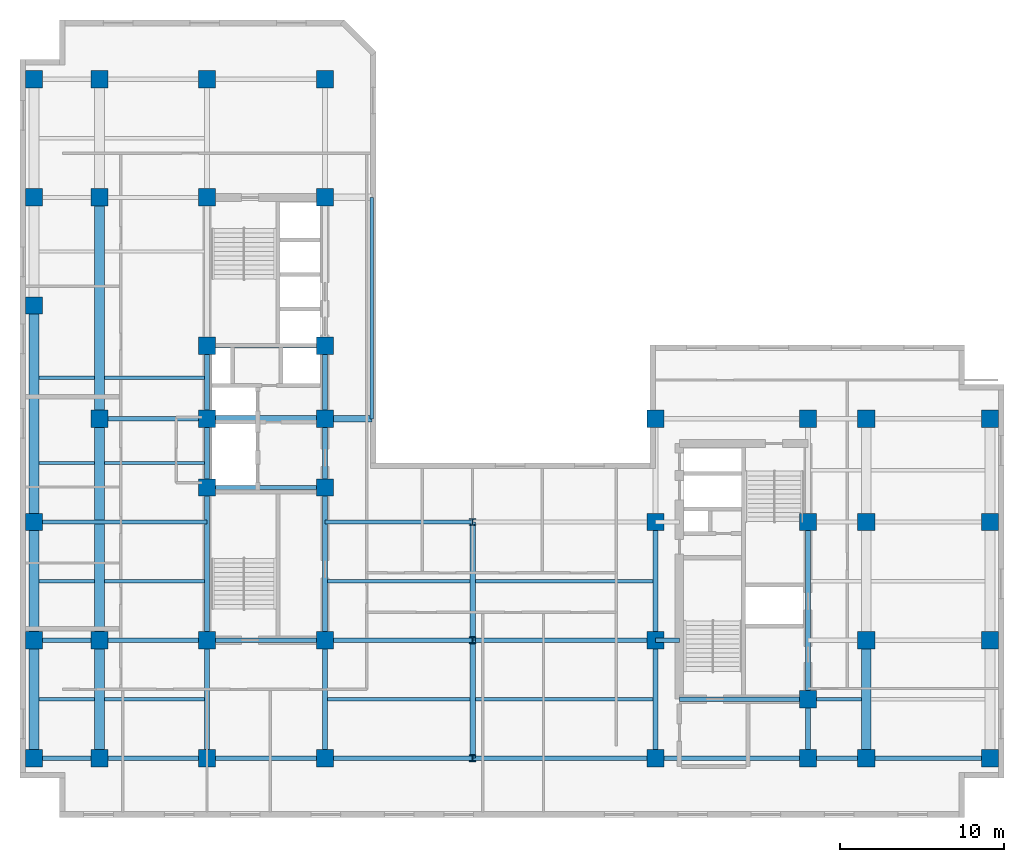
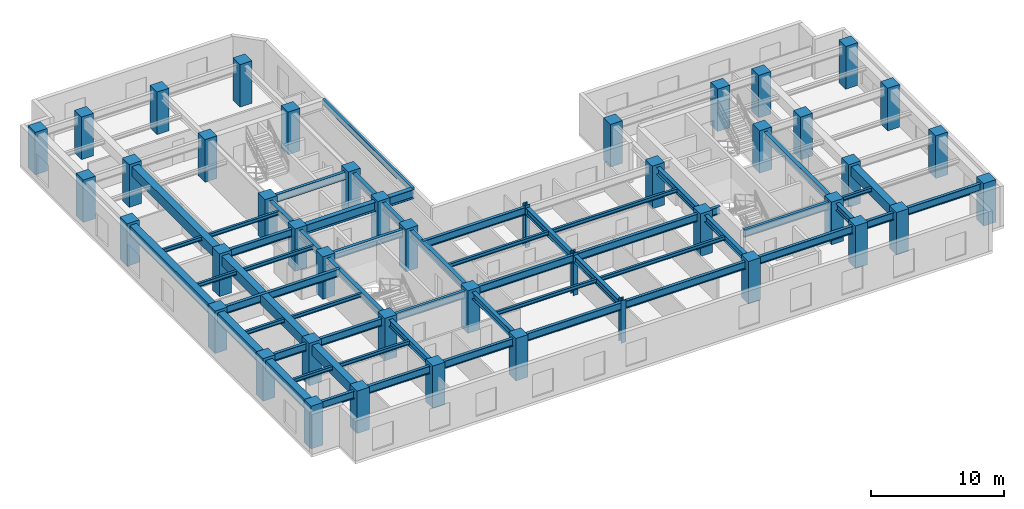
# One storey, part 1 of 9: 56 beams, 44 columns.
"""IFC4 building model written with IfcOpenShell, lengths in metres."""

from ifc_helpers import new_model, entity, si_unit, converted_unit, direction, frame, origin_with_axes, origin_2d_with_axis, place, context, subcontext, project, spatial, rectangle, i_section, extrude, material, material_profile, profile_set, type_object, element, save


model = new_model("IFC4")

# Units and contexts
model_context = context("Model", 3, precision=1e-05, world=origin_with_axes(), true_north=direction((0.0, 1.0)))
body_context = subcontext(model_context, "Body", "Model", "MODEL_VIEW")
ifc_project = project(units=[si_unit("LENGTHUNIT", "METRE"), si_unit("AREAUNIT", "SQUARE_METRE"), si_unit("VOLUMEUNIT", "CUBIC_METRE"), converted_unit("PLANEANGLEUNIT", "DEGREE", entity("IfcPlaneAngleMeasure", 0.017453292519943295), si_unit("PLANEANGLEUNIT", "RADIAN"), dimensions=[0, 0, 0, 0, 0, 0, 0]), si_unit("MASSUNIT", "GRAM", prefix="KILO"), si_unit("THERMODYNAMICTEMPERATUREUNIT", "KELVIN")], contexts=[model_context])

# Site, building, storey
site_placement = place(None, origin_with_axes())
site = spatial("IfcSite", under=ifc_project, at=site_placement, CompositionType="ELEMENT")
building_placement = place(site_placement, origin_with_axes())
building = spatial("IfcBuilding", under=site, at=building_placement, Name="Varnlund Millrace Tower", CompositionType="ELEMENT")
storey_placement = place(building_placement, frame((0.0, 0.0, 132.9), z_axis=(0.0, 0.0, 1.0), x_axis=(1.0, 0.0, 0.0)))
storey = spatial("IfcBuildingStorey", under=building, at=storey_placement, Name="L32", CompositionType="ELEMENT", Elevation=132.9)

# Columns
ifc_material_1 = material(Name="Steel ASTM A913 Grade 65", Category="steel")
ifc_material_profile_1 = material_profile(ifc_material_1, i_section(OverallWidth=0.406, OverallDepth=0.416, WebThickness=0.0298, FlangeThickness=0.048, FilletRadius=0.022, at=origin_2d_with_axis()), Name="Steel ASTM A913 Grade 65")
ifc_profile_set_1 = profile_set([ifc_material_profile_1], Name="Steel ASTM A913 Grade 65")
column_type_1 = type_object("IfcColumnType", Name="Type-Col-Int-W14X257", PredefinedType="COLUMN", material=ifc_profile_set_1)
for number, where, z_axis, x_axis, name in (
    (1, (27.6, 3.6, 0.0), (0.0, 0.0, 1.0), (1.0, 0.0, 0.0), "Type-Col-Int-W14X257"),
    (2, (27.6, 10.8, 0.0), (0.0, 0.0, 1.0), (1.0, 0.0, 0.0), "Type-Col-Int-W14X257"),
    (3, (27.6, 18.0, 0.0), (0.0, 0.0, 1.0), (1.0, 0.0, 0.0), "Type-Col-Int-W14X257"),
):
    element("IfcColumn", number, at=place(storey_placement, frame(where, z_axis=z_axis, x_axis=x_axis)), inside=storey, type_object=column_type_1, Name=name, PredefinedType="COLUMN", context=body_context, shape_type="SweptSolid", body=[
        extrude(i_section(OverallWidth=0.406, OverallDepth=0.416, WebThickness=0.0298, FlangeThickness=0.048, FilletRadius=0.022, at=origin_2d_with_axis()), origin_with_axes(), (0.0, 0.0, 1.0), 3.9),
    ])
ifc_material_2 = material(Name="Concrete C70/85", Category="concrete")
ifc_material_profile_2 = material_profile(ifc_material_2, rectangle(XDim=1.05, YDim=1.05, at=origin_2d_with_axis()), Name="Concrete C70/85")
ifc_profile_set_2 = profile_set([ifc_material_profile_2], Name="Concrete C70/85")
column_type_2 = type_object("IfcColumnType", Name="Type-Col-RC1050-C70", PredefinedType="COLUMN", material=ifc_profile_set_2)
for number, where, z_axis, x_axis, name in (
    (4, (11.4, 3.6, 0.0), (0.0, 0.0, 1.0), (1.0, 0.0, 0.0), "Type-Col-RC1050-C70"),
    (5, (11.4, 10.8, 0.0), (0.0, 0.0, 1.0), (1.0, 0.0, 0.0), "Type-Col-RC1050-C70"),
    (6, (11.4, 20.1, 0.0), (0.0, 0.0, 1.0), (1.0, 0.0, 0.0), "Type-Col-RC1050-C70"),
    (7, (11.4, 24.3, 0.0), (0.0, 0.0, 1.0), (1.0, 0.0, 0.0), "Type-Col-RC1050-C70"),
    (8, (11.4, 28.75, 0.0), (0.0, 0.0, 1.0), (1.0, 0.0, 0.0), "Type-Col-RC1050-C70"),
    (9, (11.4, 37.8, 0.0), (0.0, 0.0, 1.0), (1.0, 0.0, 0.0), "Type-Col-RC1050-C70"),
    (10, (11.4, 45.0, 0.0), (0.0, 0.0, 1.0), (1.0, 0.0, 0.0), "Type-Col-RC1050-C70"),
    (11, (18.6, 3.6, 0.0), (0.0, 0.0, 1.0), (1.0, 0.0, 0.0), "Type-Col-RC1050-C70"),
    (12, (18.6, 10.8, 0.0), (0.0, 0.0, 1.0), (1.0, 0.0, 0.0), "Type-Col-RC1050-C70"),
    (13, (18.6, 20.1, 0.0), (0.0, 0.0, 1.0), (1.0, 0.0, 0.0), "Type-Col-RC1050-C70"),
    (14, (18.6, 24.3, 0.0), (0.0, 0.0, 1.0), (1.0, 0.0, 0.0), "Type-Col-RC1050-C70"),
    (15, (18.6, 28.75, 0.0), (0.0, 0.0, 1.0), (1.0, 0.0, 0.0), "Type-Col-RC1050-C70"),
    (16, (18.6, 37.8, 0.0), (0.0, 0.0, 1.0), (1.0, 0.0, 0.0), "Type-Col-RC1050-C70"),
    (17, (18.6, 45.0, 0.0), (0.0, 0.0, 1.0), (1.0, 0.0, 0.0), "Type-Col-RC1050-C70"),
    (18, (4.85, 3.6, 0.0), (0.0, 0.0, 1.0), (1.0, 0.0, 0.0), "Type-Col-RC1050-C70"),
    (19, (4.85, 10.8, 0.0), (0.0, 0.0, 1.0), (1.0, 0.0, 0.0), "Type-Col-RC1050-C70"),
    (20, (4.85, 24.3, 0.0), (0.0, 0.0, 1.0), (1.0, 0.0, 0.0), "Type-Col-RC1050-C70"),
    (21, (4.85, 37.8, 0.0), (0.0, 0.0, 1.0), (1.0, 0.0, 0.0), "Type-Col-RC1050-C70"),
    (22, (4.85, 45.0, 0.0), (0.0, 0.0, 1.0), (1.0, 0.0, 0.0), "Type-Col-RC1050-C70"),
    (23, (0.85, 3.6, 0.0), (0.0, 0.0, 1.0), (1.0, 0.0, 0.0), "Type-Col-RC1050-C70"),
    (24, (0.85, 10.8, 0.0), (0.0, 0.0, 1.0), (1.0, 0.0, 0.0), "Type-Col-RC1050-C70"),
    (25, (0.85, 18.0, 0.0), (0.0, 0.0, 1.0), (1.0, 0.0, 0.0), "Type-Col-RC1050-C70"),
    (26, (0.85, 31.2, 0.0), (0.0, 0.0, 1.0), (1.0, 0.0, 0.0), "Type-Col-RC1050-C70"),
    (27, (0.85, 37.8, 0.0), (0.0, 0.0, 1.0), (1.0, 0.0, 0.0), "Type-Col-RC1050-C70"),
    (28, (0.85, 45.0, 0.0), (0.0, 0.0, 1.0), (1.0, 0.0, 0.0), "Type-Col-RC1050-C70"),
    (29, (38.75, 3.6, 0.0), (0.0, 0.0, 1.0), (1.0, 0.0, 0.0), "Type-Col-RC1050-C70"),
    (30, (38.75, 10.8, 0.0), (0.0, 0.0, 1.0), (1.0, 0.0, 0.0), "Type-Col-RC1050-C70"),
    (31, (38.75, 18.0, 0.0), (0.0, 0.0, 1.0), (1.0, 0.0, 0.0), "Type-Col-RC1050-C70"),
    (32, (38.75, 24.3, 0.0), (0.0, 0.0, 1.0), (1.0, 0.0, 0.0), "Type-Col-RC1050-C70"),
    (33, (48.05, 3.6, 0.0), (0.0, 0.0, 1.0), (1.0, 0.0, 0.0), "Type-Col-RC1050-C70"),
    (34, (48.05, 7.2, 0.0), (0.0, 0.0, 1.0), (1.0, 0.0, 0.0), "Type-Col-RC1050-C70"),
    (35, (48.05, 18.0, 0.0), (0.0, 0.0, 1.0), (1.0, 0.0, 0.0), "Type-Col-RC1050-C70"),
    (36, (48.05, 24.3, 0.0), (0.0, 0.0, 1.0), (1.0, 0.0, 0.0), "Type-Col-RC1050-C70"),
    (37, (51.6, 3.6, 0.0), (0.0, 0.0, 1.0), (1.0, 0.0, 0.0), "Type-Col-RC1050-C70"),
    (38, (51.6, 10.8, 0.0), (0.0, 0.0, 1.0), (1.0, 0.0, 0.0), "Type-Col-RC1050-C70"),
    (39, (51.6, 18.0, 0.0), (0.0, 0.0, 1.0), (1.0, 0.0, 0.0), "Type-Col-RC1050-C70"),
    (40, (51.6, 24.3, 0.0), (0.0, 0.0, 1.0), (1.0, 0.0, 0.0), "Type-Col-RC1050-C70"),
    (41, (59.15, 3.6, 0.0), (0.0, 0.0, 1.0), (1.0, 0.0, 0.0), "Type-Col-RC1050-C70"),
    (42, (59.15, 10.8, 0.0), (0.0, 0.0, 1.0), (1.0, 0.0, 0.0), "Type-Col-RC1050-C70"),
    (43, (59.15, 18.0, 0.0), (0.0, 0.0, 1.0), (1.0, 0.0, 0.0), "Type-Col-RC1050-C70"),
    (44, (59.15, 24.3, 0.0), (0.0, 0.0, 1.0), (1.0, 0.0, 0.0), "Type-Col-RC1050-C70"),
):
    element("IfcColumn", number, at=place(storey_placement, frame(where, z_axis=z_axis, x_axis=x_axis)), inside=storey, type_object=column_type_2, Name=name, PredefinedType="COLUMN", context=body_context, shape_type="SweptSolid", body=[
        extrude(rectangle(XDim=1.05, YDim=1.05, at=origin_2d_with_axis()), origin_with_axes(), (0.0, 0.0, 1.0), 3.9),
    ])

# Beams
ifc_material_3 = material(Name="Steel ASTM A992 Grade 50", Category="steel")
ifc_material_profile_3 = material_profile(ifc_material_3, i_section(OverallWidth=0.209, OverallDepth=0.533, WebThickness=0.0102, FlangeThickness=0.0156, FilletRadius=0.014, at=origin_2d_with_axis()), Name="Steel ASTM A992 Grade 50")
ifc_profile_set_3 = profile_set([ifc_material_profile_3], Name="Steel ASTM A992 Grade 50")
beam_type_1 = type_object("IfcBeamType", Name="Type-Beam-W21X62", PredefinedType="BEAM", material=ifc_profile_set_3)
beam_1_placement = place(storey_placement, frame((21.454, 24.3, 3.3935), z_axis=(0.0, 1.0, 0.0), x_axis=(-1.0, 0.0, 0.0)))
element("IfcBeam", 45, at=beam_1_placement, inside=storey, type_object=beam_type_1, Name="Type-Beam-W21X62", PredefinedType="BEAM", context=body_context, shape_type="SweptSolid", body=[
    extrude(i_section(OverallWidth=0.209, OverallDepth=0.533, WebThickness=0.0102, FlangeThickness=0.0156, FilletRadius=0.014, at=origin_2d_with_axis()), origin_with_axes(), (0.0, 0.0, 1.0), 13.5),
])
ifc_material_profile_4 = material_profile(ifc_material_3, i_section(OverallWidth=0.328, OverallDepth=0.628, WebThickness=0.0165, FlangeThickness=0.0277, FilletRadius=0.018, at=origin_2d_with_axis()), Name="Steel ASTM A992 Grade 50")
ifc_profile_set_4 = profile_set([ifc_material_profile_4], Name="Steel ASTM A992 Grade 50")
beam_type_2 = type_object("IfcBeamType", Name="Type-Girder-W24X146", PredefinedType="USERDEFINED", material=ifc_profile_set_4)
beam_2_placement = place(storey_placement, frame((11.4, 3.6, 3.346), z_axis=(0.0, 1.0, 0.0), x_axis=(-1.0, 0.0, 0.0)))
element("IfcBeam", 46, at=beam_2_placement, inside=storey, type_object=beam_type_2, Name="Type-Girder-W24X146", ObjectType="GIRDER", PredefinedType="USERDEFINED", context=body_context, shape_type="SweptSolid", body=[
    extrude(i_section(OverallWidth=0.328, OverallDepth=0.628, WebThickness=0.0165, FlangeThickness=0.0277, FilletRadius=0.018, at=origin_2d_with_axis()), origin_with_axes(), (0.0, 0.0, 1.0), 7.2),
])
beam_3_placement = place(storey_placement, frame((11.4, 10.8, 3.346), z_axis=(0.0, 1.0, 0.0), x_axis=(-1.0, 0.0, 0.0)))
element("IfcBeam", 47, at=beam_3_placement, inside=storey, type_object=beam_type_2, Name="Type-Girder-W24X146", ObjectType="GIRDER", PredefinedType="USERDEFINED", context=body_context, shape_type="SweptSolid", body=[
    extrude(i_section(OverallWidth=0.328, OverallDepth=0.628, WebThickness=0.0165, FlangeThickness=0.0277, FilletRadius=0.018, at=origin_2d_with_axis()), origin_with_axes(), (0.0, 0.0, 1.0), 9.3),
])
beam_4_placement = place(storey_placement, frame((11.4, 20.1, 3.346), z_axis=(0.0, 1.0, 0.0), x_axis=(-1.0, 0.0, 0.0)))
element("IfcBeam", 48, at=beam_4_placement, inside=storey, type_object=beam_type_2, Name="Type-Girder-W24X146", ObjectType="GIRDER", PredefinedType="USERDEFINED", context=body_context, shape_type="SweptSolid", body=[
    extrude(i_section(OverallWidth=0.328, OverallDepth=0.628, WebThickness=0.0165, FlangeThickness=0.0277, FilletRadius=0.018, at=origin_2d_with_axis()), origin_with_axes(), (0.0, 0.0, 1.0), 4.2),
])
beam_5_placement = place(storey_placement, frame((11.4, 24.3, 3.346), z_axis=(0.0, 1.0, 0.0), x_axis=(-1.0, 0.0, 0.0)))
element("IfcBeam", 49, at=beam_5_placement, inside=storey, type_object=beam_type_2, Name="Type-Girder-W24X146", ObjectType="GIRDER", PredefinedType="USERDEFINED", context=body_context, shape_type="SweptSolid", body=[
    extrude(i_section(OverallWidth=0.328, OverallDepth=0.628, WebThickness=0.0165, FlangeThickness=0.0277, FilletRadius=0.018, at=origin_2d_with_axis()), origin_with_axes(), (0.0, 0.0, 1.0), 4.45),
])
beam_6_placement = place(storey_placement, frame((18.6, 3.6, 3.346), z_axis=(0.0, 1.0, 0.0), x_axis=(-1.0, 0.0, 0.0)))
element("IfcBeam", 50, at=beam_6_placement, inside=storey, type_object=beam_type_2, Name="Type-Girder-W24X146", ObjectType="GIRDER", PredefinedType="USERDEFINED", context=body_context, shape_type="SweptSolid", body=[
    extrude(i_section(OverallWidth=0.328, OverallDepth=0.628, WebThickness=0.0165, FlangeThickness=0.0277, FilletRadius=0.018, at=origin_2d_with_axis()), origin_with_axes(), (0.0, 0.0, 1.0), 7.2),
])
beam_7_placement = place(storey_placement, frame((18.6, 10.8, 3.346), z_axis=(0.0, 1.0, 0.0), x_axis=(-1.0, 0.0, 0.0)))
element("IfcBeam", 51, at=beam_7_placement, inside=storey, type_object=beam_type_2, Name="Type-Girder-W24X146", ObjectType="GIRDER", PredefinedType="USERDEFINED", context=body_context, shape_type="SweptSolid", body=[
    extrude(i_section(OverallWidth=0.328, OverallDepth=0.628, WebThickness=0.0165, FlangeThickness=0.0277, FilletRadius=0.018, at=origin_2d_with_axis()), origin_with_axes(), (0.0, 0.0, 1.0), 9.3),
])
beam_8_placement = place(storey_placement, frame((18.6, 20.1, 3.346), z_axis=(0.0, 1.0, 0.0), x_axis=(-1.0, 0.0, 0.0)))
element("IfcBeam", 52, at=beam_8_placement, inside=storey, type_object=beam_type_2, Name="Type-Girder-W24X146", ObjectType="GIRDER", PredefinedType="USERDEFINED", context=body_context, shape_type="SweptSolid", body=[
    extrude(i_section(OverallWidth=0.328, OverallDepth=0.628, WebThickness=0.0165, FlangeThickness=0.0277, FilletRadius=0.018, at=origin_2d_with_axis()), origin_with_axes(), (0.0, 0.0, 1.0), 4.2),
])
beam_9_placement = place(storey_placement, frame((18.6, 24.3, 3.346), z_axis=(0.0, 1.0, 0.0), x_axis=(-1.0, 0.0, 0.0)))
element("IfcBeam", 53, at=beam_9_placement, inside=storey, type_object=beam_type_2, Name="Type-Girder-W24X146", ObjectType="GIRDER", PredefinedType="USERDEFINED", context=body_context, shape_type="SweptSolid", body=[
    extrude(i_section(OverallWidth=0.328, OverallDepth=0.628, WebThickness=0.0165, FlangeThickness=0.0277, FilletRadius=0.018, at=origin_2d_with_axis()), origin_with_axes(), (0.0, 0.0, 1.0), 4.45),
])
for number, where, z_axis, x_axis, name in (
    (54, (27.6, 3.6, 3.346), (0.0, 1.0, 0.0), (-1.0, 0.0, 0.0), "Type-Girder-W24X146"),
    (55, (27.6, 10.8, 3.346), (0.0, 1.0, 0.0), (-1.0, 0.0, 0.0), "Type-Girder-W24X146"),
    (56, (38.75, 3.6, 3.346), (0.0, 1.0, 0.0), (-1.0, 0.0, 0.0), "Type-Girder-W24X146"),
    (57, (38.75, 10.8, 3.346), (0.0, 1.0, 0.0), (-1.0, 0.0, 0.0), "Type-Girder-W24X146"),
):
    element("IfcBeam", number, at=place(storey_placement, frame(where, z_axis=z_axis, x_axis=x_axis)), inside=storey, type_object=beam_type_2, Name=name, ObjectType="GIRDER", PredefinedType="USERDEFINED", context=body_context, shape_type="SweptSolid", body=[
        extrude(i_section(OverallWidth=0.328, OverallDepth=0.628, WebThickness=0.0165, FlangeThickness=0.0277, FilletRadius=0.018, at=origin_2d_with_axis()), origin_with_axes(), (0.0, 0.0, 1.0), 7.2),
    ])
beam_10_placement = place(storey_placement, frame((48.05, 3.6, 3.346), z_axis=(0.0, 1.0, 0.0), x_axis=(-1.0, 0.0, 0.0)))
element("IfcBeam", 58, at=beam_10_placement, inside=storey, type_object=beam_type_2, Name="Type-Girder-W24X146", ObjectType="GIRDER", PredefinedType="USERDEFINED", context=body_context, shape_type="SweptSolid", body=[
    extrude(i_section(OverallWidth=0.328, OverallDepth=0.628, WebThickness=0.0165, FlangeThickness=0.0277, FilletRadius=0.018, at=origin_2d_with_axis()), origin_with_axes(), (0.0, 0.0, 1.0), 3.6),
])
beam_11_placement = place(storey_placement, frame((48.05, 7.2, 3.346), z_axis=(0.0, 1.0, 0.0), x_axis=(-1.0, 0.0, 0.0)))
element("IfcBeam", 59, at=beam_11_placement, inside=storey, type_object=beam_type_2, Name="Type-Girder-W24X146", ObjectType="GIRDER", PredefinedType="USERDEFINED", context=body_context, shape_type="SweptSolid", body=[
    extrude(i_section(OverallWidth=0.328, OverallDepth=0.628, WebThickness=0.0165, FlangeThickness=0.0277, FilletRadius=0.018, at=origin_2d_with_axis()), origin_with_axes(), (0.0, 0.0, 1.0), 10.8),
])
ifc_material_profile_5 = material_profile(ifc_material_3, i_section(OverallWidth=0.256, OverallDepth=0.693, WebThickness=0.0145, FlangeThickness=0.0236, FilletRadius=0.018, at=origin_2d_with_axis()), Name="Steel ASTM A992 Grade 50")
ifc_profile_set_5 = profile_set([ifc_material_profile_5], Name="Steel ASTM A992 Grade 50")
beam_type_3 = type_object("IfcBeamType", Name="Type-Girder-W27X114", PredefinedType="USERDEFINED", material=ifc_profile_set_5)
beam_12_placement = place(storey_placement, frame((0.85, 3.6, 3.3135), z_axis=(1.0, 0.0, 0.0), x_axis=(0.0, 1.0, 0.0)))
element("IfcBeam", 60, at=beam_12_placement, inside=storey, type_object=beam_type_3, Name="Type-Girder-W27X114", ObjectType="GIRDER", PredefinedType="USERDEFINED", context=body_context, shape_type="SweptSolid", body=[
    extrude(i_section(OverallWidth=0.256, OverallDepth=0.693, WebThickness=0.0145, FlangeThickness=0.0236, FilletRadius=0.018, at=origin_2d_with_axis()), origin_with_axes(), (0.0, 0.0, 1.0), 4.0),
])
beam_13_placement = place(storey_placement, frame((4.85, 3.6, 3.3135), z_axis=(1.0, 0.0, 0.0), x_axis=(0.0, 1.0, 0.0)))
element("IfcBeam", 61, at=beam_13_placement, inside=storey, type_object=beam_type_3, Name="Type-Girder-W27X114", ObjectType="GIRDER", PredefinedType="USERDEFINED", context=body_context, shape_type="SweptSolid", body=[
    extrude(i_section(OverallWidth=0.256, OverallDepth=0.693, WebThickness=0.0145, FlangeThickness=0.0236, FilletRadius=0.018, at=origin_2d_with_axis()), origin_with_axes(), (0.0, 0.0, 1.0), 6.55),
])
beam_14_placement = place(storey_placement, frame((11.4, 3.6, 3.3135), z_axis=(1.0, 0.0, 0.0), x_axis=(0.0, 1.0, 0.0)))
element("IfcBeam", 62, at=beam_14_placement, inside=storey, type_object=beam_type_3, Name="Type-Girder-W27X114", ObjectType="GIRDER", PredefinedType="USERDEFINED", context=body_context, shape_type="SweptSolid", body=[
    extrude(i_section(OverallWidth=0.256, OverallDepth=0.693, WebThickness=0.0145, FlangeThickness=0.0236, FilletRadius=0.018, at=origin_2d_with_axis()), origin_with_axes(), (0.0, 0.0, 1.0), 7.2),
])
beam_15_placement = place(storey_placement, frame((18.6, 3.6, 3.3135), z_axis=(1.0, 0.0, 0.0), x_axis=(0.0, 1.0, 0.0)))
element("IfcBeam", 63, at=beam_15_placement, inside=storey, type_object=beam_type_3, Name="Type-Girder-W27X114", ObjectType="GIRDER", PredefinedType="USERDEFINED", context=body_context, shape_type="SweptSolid", body=[
    extrude(i_section(OverallWidth=0.256, OverallDepth=0.693, WebThickness=0.0145, FlangeThickness=0.0236, FilletRadius=0.018, at=origin_2d_with_axis()), origin_with_axes(), (0.0, 0.0, 1.0), 9.0),
])
beam_16_placement = place(storey_placement, frame((27.6, 3.6, 3.3135), z_axis=(1.0, 0.0, 0.0), x_axis=(0.0, 1.0, 0.0)))
element("IfcBeam", 64, at=beam_16_placement, inside=storey, type_object=beam_type_3, Name="Type-Girder-W27X114", ObjectType="GIRDER", PredefinedType="USERDEFINED", context=body_context, shape_type="SweptSolid", body=[
    extrude(i_section(OverallWidth=0.256, OverallDepth=0.693, WebThickness=0.0145, FlangeThickness=0.0236, FilletRadius=0.018, at=origin_2d_with_axis()), origin_with_axes(), (0.0, 0.0, 1.0), 11.15),
])
beam_17_placement = place(storey_placement, frame((38.75, 3.6, 3.3135), z_axis=(1.0, 0.0, 0.0), x_axis=(0.0, 1.0, 0.0)))
element("IfcBeam", 65, at=beam_17_placement, inside=storey, type_object=beam_type_3, Name="Type-Girder-W27X114", ObjectType="GIRDER", PredefinedType="USERDEFINED", context=body_context, shape_type="SweptSolid", body=[
    extrude(i_section(OverallWidth=0.256, OverallDepth=0.693, WebThickness=0.0145, FlangeThickness=0.0236, FilletRadius=0.018, at=origin_2d_with_axis()), origin_with_axes(), (0.0, 0.0, 1.0), 9.3),
])
beam_18_placement = place(storey_placement, frame((48.05, 3.6, 3.3135), z_axis=(1.0, 0.0, 0.0), x_axis=(0.0, 1.0, 0.0)))
element("IfcBeam", 66, at=beam_18_placement, inside=storey, type_object=beam_type_3, Name="Type-Girder-W27X114", ObjectType="GIRDER", PredefinedType="USERDEFINED", context=body_context, shape_type="SweptSolid", body=[
    extrude(i_section(OverallWidth=0.256, OverallDepth=0.693, WebThickness=0.0145, FlangeThickness=0.0236, FilletRadius=0.018, at=origin_2d_with_axis()), origin_with_axes(), (0.0, 0.0, 1.0), 3.55),
])
beam_19_placement = place(storey_placement, frame((51.6, 3.6, 3.3135), z_axis=(1.0, 0.0, 0.0), x_axis=(0.0, 1.0, 0.0)))
element("IfcBeam", 67, at=beam_19_placement, inside=storey, type_object=beam_type_3, Name="Type-Girder-W27X114", ObjectType="GIRDER", PredefinedType="USERDEFINED", context=body_context, shape_type="SweptSolid", body=[
    extrude(i_section(OverallWidth=0.256, OverallDepth=0.693, WebThickness=0.0145, FlangeThickness=0.0236, FilletRadius=0.018, at=origin_2d_with_axis()), origin_with_axes(), (0.0, 0.0, 1.0), 7.55),
])
beam_20_placement = place(storey_placement, frame((40.2, 7.2, 3.3135), z_axis=(1.0, 0.0, 0.0), x_axis=(0.0, 1.0, 0.0)))
element("IfcBeam", 68, at=beam_20_placement, inside=storey, type_object=beam_type_3, Name="Type-Girder-W27X114", ObjectType="GIRDER", PredefinedType="USERDEFINED", context=body_context, shape_type="SweptSolid", body=[
    extrude(i_section(OverallWidth=0.256, OverallDepth=0.693, WebThickness=0.0145, FlangeThickness=0.0236, FilletRadius=0.018, at=origin_2d_with_axis()), origin_with_axes(), (0.0, 0.0, 1.0), 7.85),
])
beam_21_placement = place(storey_placement, frame((0.85, 10.8, 3.3135), z_axis=(1.0, 0.0, 0.0), x_axis=(0.0, 1.0, 0.0)))
element("IfcBeam", 69, at=beam_21_placement, inside=storey, type_object=beam_type_3, Name="Type-Girder-W27X114", ObjectType="GIRDER", PredefinedType="USERDEFINED", context=body_context, shape_type="SweptSolid", body=[
    extrude(i_section(OverallWidth=0.256, OverallDepth=0.693, WebThickness=0.0145, FlangeThickness=0.0236, FilletRadius=0.018, at=origin_2d_with_axis()), origin_with_axes(), (0.0, 0.0, 1.0), 4.0),
])
beam_22_placement = place(storey_placement, frame((4.85, 10.8, 3.3135), z_axis=(1.0, 0.0, 0.0), x_axis=(0.0, 1.0, 0.0)))
element("IfcBeam", 70, at=beam_22_placement, inside=storey, type_object=beam_type_3, Name="Type-Girder-W27X114", ObjectType="GIRDER", PredefinedType="USERDEFINED", context=body_context, shape_type="SweptSolid", body=[
    extrude(i_section(OverallWidth=0.256, OverallDepth=0.693, WebThickness=0.0145, FlangeThickness=0.0236, FilletRadius=0.018, at=origin_2d_with_axis()), origin_with_axes(), (0.0, 0.0, 1.0), 6.55),
])
beam_23_placement = place(storey_placement, frame((11.4, 10.8, 3.3135), z_axis=(1.0, 0.0, 0.0), x_axis=(0.0, 1.0, 0.0)))
element("IfcBeam", 71, at=beam_23_placement, inside=storey, type_object=beam_type_3, Name="Type-Girder-W27X114", ObjectType="GIRDER", PredefinedType="USERDEFINED", context=body_context, shape_type="SweptSolid", body=[
    extrude(i_section(OverallWidth=0.256, OverallDepth=0.693, WebThickness=0.0145, FlangeThickness=0.0236, FilletRadius=0.018, at=origin_2d_with_axis()), origin_with_axes(), (0.0, 0.0, 1.0), 7.2),
])
beam_24_placement = place(storey_placement, frame((18.6, 10.8, 3.3135), z_axis=(1.0, 0.0, 0.0), x_axis=(0.0, 1.0, 0.0)))
element("IfcBeam", 72, at=beam_24_placement, inside=storey, type_object=beam_type_3, Name="Type-Girder-W27X114", ObjectType="GIRDER", PredefinedType="USERDEFINED", context=body_context, shape_type="SweptSolid", body=[
    extrude(i_section(OverallWidth=0.256, OverallDepth=0.693, WebThickness=0.0145, FlangeThickness=0.0236, FilletRadius=0.018, at=origin_2d_with_axis()), origin_with_axes(), (0.0, 0.0, 1.0), 9.0),
])
beam_25_placement = place(storey_placement, frame((27.6, 10.8, 3.3135), z_axis=(1.0, 0.0, 0.0), x_axis=(0.0, 1.0, 0.0)))
element("IfcBeam", 73, at=beam_25_placement, inside=storey, type_object=beam_type_3, Name="Type-Girder-W27X114", ObjectType="GIRDER", PredefinedType="USERDEFINED", context=body_context, shape_type="SweptSolid", body=[
    extrude(i_section(OverallWidth=0.256, OverallDepth=0.693, WebThickness=0.0145, FlangeThickness=0.0236, FilletRadius=0.018, at=origin_2d_with_axis()), origin_with_axes(), (0.0, 0.0, 1.0), 11.15),
])
beam_26_placement = place(storey_placement, frame((38.75, 10.8, 3.3135), z_axis=(1.0, 0.0, 0.0), x_axis=(0.0, 1.0, 0.0)))
element("IfcBeam", 74, at=beam_26_placement, inside=storey, type_object=beam_type_3, Name="Type-Girder-W27X114", ObjectType="GIRDER", PredefinedType="USERDEFINED", context=body_context, shape_type="SweptSolid", body=[
    extrude(i_section(OverallWidth=0.256, OverallDepth=0.693, WebThickness=0.0145, FlangeThickness=0.0236, FilletRadius=0.018, at=origin_2d_with_axis()), origin_with_axes(), (0.0, 0.0, 1.0), 1.45),
])
beam_27_placement = place(storey_placement, frame((0.85, 18.0, 3.3135), z_axis=(1.0, 0.0, 0.0), x_axis=(0.0, 1.0, 0.0)))
element("IfcBeam", 75, at=beam_27_placement, inside=storey, type_object=beam_type_3, Name="Type-Girder-W27X114", ObjectType="GIRDER", PredefinedType="USERDEFINED", context=body_context, shape_type="SweptSolid", body=[
    extrude(i_section(OverallWidth=0.256, OverallDepth=0.693, WebThickness=0.0145, FlangeThickness=0.0236, FilletRadius=0.018, at=origin_2d_with_axis()), origin_with_axes(), (0.0, 0.0, 1.0), 10.55),
])
beam_28_placement = place(storey_placement, frame((18.6, 18.0, 3.3135), z_axis=(1.0, 0.0, 0.0), x_axis=(0.0, 1.0, 0.0)))
element("IfcBeam", 76, at=beam_28_placement, inside=storey, type_object=beam_type_3, Name="Type-Girder-W27X114", ObjectType="GIRDER", PredefinedType="USERDEFINED", context=body_context, shape_type="SweptSolid", body=[
    extrude(i_section(OverallWidth=0.256, OverallDepth=0.693, WebThickness=0.0145, FlangeThickness=0.0236, FilletRadius=0.018, at=origin_2d_with_axis()), origin_with_axes(), (0.0, 0.0, 1.0), 9.0),
])
beam_29_placement = place(storey_placement, frame((11.4, 20.1, 3.3135), z_axis=(1.0, 0.0, 0.0), x_axis=(0.0, 1.0, 0.0)))
element("IfcBeam", 77, at=beam_29_placement, inside=storey, type_object=beam_type_3, Name="Type-Girder-W27X114", ObjectType="GIRDER", PredefinedType="USERDEFINED", context=body_context, shape_type="SweptSolid", body=[
    extrude(i_section(OverallWidth=0.256, OverallDepth=0.693, WebThickness=0.0145, FlangeThickness=0.0236, FilletRadius=0.018, at=origin_2d_with_axis()), origin_with_axes(), (0.0, 0.0, 1.0), 7.2),
])
beam_30_placement = place(storey_placement, frame((4.85, 24.3, 3.3135), z_axis=(1.0, 0.0, 0.0), x_axis=(0.0, 1.0, 0.0)))
element("IfcBeam", 78, at=beam_30_placement, inside=storey, type_object=beam_type_3, Name="Type-Girder-W27X114", ObjectType="GIRDER", PredefinedType="USERDEFINED", context=body_context, shape_type="SweptSolid", body=[
    extrude(i_section(OverallWidth=0.256, OverallDepth=0.693, WebThickness=0.0145, FlangeThickness=0.0236, FilletRadius=0.018, at=origin_2d_with_axis()), origin_with_axes(), (0.0, 0.0, 1.0), 6.55),
])
beam_31_placement = place(storey_placement, frame((11.4, 28.75, 3.3135), z_axis=(1.0, 0.0, 0.0), x_axis=(0.0, 1.0, 0.0)))
element("IfcBeam", 79, at=beam_31_placement, inside=storey, type_object=beam_type_3, Name="Type-Girder-W27X114", ObjectType="GIRDER", PredefinedType="USERDEFINED", context=body_context, shape_type="SweptSolid", body=[
    extrude(i_section(OverallWidth=0.256, OverallDepth=0.693, WebThickness=0.0145, FlangeThickness=0.0236, FilletRadius=0.018, at=origin_2d_with_axis()), origin_with_axes(), (0.0, 0.0, 1.0), 7.2),
])
ifc_material_profile_6 = material_profile(ifc_material_3, i_section(OverallWidth=0.399, OverallDepth=0.855, WebThickness=0.0182, FlangeThickness=0.0292, FilletRadius=0.022, at=origin_2d_with_axis()), Name="Steel ASTM A992 Grade 50")
ifc_profile_set_6 = profile_set([ifc_material_profile_6], Name="Steel ASTM A992 Grade 50")
beam_type_4 = type_object("IfcBeamType", Name="Type-Girder-W33X201", PredefinedType="USERDEFINED", material=ifc_profile_set_6)
beam_32_placement = place(storey_placement, frame((11.4, 24.3, 3.2325), z_axis=(1.0, 0.0, 0.0), x_axis=(0.0, 1.0, 0.0)))
element("IfcBeam", 80, at=beam_32_placement, inside=storey, type_object=beam_type_4, Name="Type-Girder-W33X201", ObjectType="GIRDER", PredefinedType="USERDEFINED", context=body_context, shape_type="SweptSolid", body=[
    extrude(i_section(OverallWidth=0.399, OverallDepth=0.855, WebThickness=0.0182, FlangeThickness=0.0292, FilletRadius=0.022, at=origin_2d_with_axis()), origin_with_axes(), (0.0, 0.0, 1.0), 10.054),
])
ifc_material_profile_7 = material_profile(ifc_material_3, i_section(OverallWidth=0.204, OverallDepth=0.35, WebThickness=0.0086, FlangeThickness=0.0151, FilletRadius=0.013, at=origin_2d_with_axis()), Name="Steel ASTM A992 Grade 50")
ifc_profile_set_7 = profile_set([ifc_material_profile_7], Name="Steel ASTM A992 Grade 50")
beam_type_5 = type_object("IfcBeamType", Name="Type-Joist-W14X48", PredefinedType="JOIST", material=ifc_profile_set_7)
for number, where, z_axis, x_axis, name in (
    (81, (1.15, 7.2, 3.485), (1.0, 0.0, 0.0), (0.0, 1.0, 0.0), "Type-Joist-W14X48"),
    (82, (1.15, 14.4, 3.485), (1.0, 0.0, 0.0), (0.0, 1.0, 0.0), "Type-Joist-W14X48"),
    (83, (1.15, 21.6, 3.485), (1.0, 0.0, 0.0), (0.0, 1.0, 0.0), "Type-Joist-W14X48"),
    (84, (1.15, 26.8, 3.485), (1.0, 0.0, 0.0), (0.0, 1.0, 0.0), "Type-Joist-W14X48"),
):
    element("IfcBeam", number, at=place(storey_placement, frame(where, z_axis=z_axis, x_axis=x_axis)), inside=storey, type_object=beam_type_5, Name=name, PredefinedType="JOIST", context=body_context, shape_type="SweptSolid", body=[
        extrude(i_section(OverallWidth=0.204, OverallDepth=0.35, WebThickness=0.0086, FlangeThickness=0.0151, FilletRadius=0.013, at=origin_2d_with_axis()), origin_with_axes(), (0.0, 0.0, 1.0), 3.4),
    ])
for number, where, z_axis, x_axis, name in (
    (85, (5.15, 7.2, 3.485), (1.0, 0.0, 0.0), (0.0, 1.0, 0.0), "Type-Joist-W14X48"),
    (86, (5.15, 14.4, 3.485), (1.0, 0.0, 0.0), (0.0, 1.0, 0.0), "Type-Joist-W14X48"),
    (87, (5.15, 21.6, 3.485), (1.0, 0.0, 0.0), (0.0, 1.0, 0.0), "Type-Joist-W14X48"),
    (88, (5.15, 26.8, 3.485), (1.0, 0.0, 0.0), (0.0, 1.0, 0.0), "Type-Joist-W14X48"),
):
    element("IfcBeam", number, at=place(storey_placement, frame(where, z_axis=z_axis, x_axis=x_axis)), inside=storey, type_object=beam_type_5, Name=name, PredefinedType="JOIST", context=body_context, shape_type="SweptSolid", body=[
        extrude(i_section(OverallWidth=0.204, OverallDepth=0.35, WebThickness=0.0086, FlangeThickness=0.0151, FilletRadius=0.013, at=origin_2d_with_axis()), origin_with_axes(), (0.0, 0.0, 1.0), 6.086),
    ])
beam_33_placement = place(storey_placement, frame((48.214, 7.2, 3.485), z_axis=(1.0, 0.0, 0.0), x_axis=(0.0, 1.0, 0.0)))
element("IfcBeam", 89, at=beam_33_placement, inside=storey, type_object=beam_type_5, Name="Type-Joist-W14X48", PredefinedType="JOIST", context=body_context, shape_type="SweptSolid", body=[
    extrude(i_section(OverallWidth=0.204, OverallDepth=0.35, WebThickness=0.0086, FlangeThickness=0.0151, FilletRadius=0.013, at=origin_2d_with_axis()), origin_with_axes(), (0.0, 0.0, 1.0), 3.086),
])
for number, where, z_axis, x_axis, name in (
    (90, (18.764, 7.2, 3.485), (1.0, 0.0, 0.0), (0.0, 1.0, 0.0), "Type-Joist-W14X48"),
    (91, (18.764, 14.4, 3.485), (1.0, 0.0, 0.0), (0.0, 1.0, 0.0), "Type-Joist-W14X48"),
):
    element("IfcBeam", number, at=place(storey_placement, frame(where, z_axis=z_axis, x_axis=x_axis)), inside=storey, type_object=beam_type_5, Name=name, PredefinedType="JOIST", context=body_context, shape_type="SweptSolid", body=[
        extrude(i_section(OverallWidth=0.204, OverallDepth=0.35, WebThickness=0.0086, FlangeThickness=0.0151, FilletRadius=0.013, at=origin_2d_with_axis()), origin_with_axes(), (0.0, 0.0, 1.0), 8.672),
    ])
for number, where, z_axis, x_axis, name in (
    (92, (27.764, 7.2, 3.485), (1.0, 0.0, 0.0), (0.0, 1.0, 0.0), "Type-Joist-W14X48"),
    (93, (27.764, 14.4, 3.485), (1.0, 0.0, 0.0), (0.0, 1.0, 0.0), "Type-Joist-W14X48"),
):
    element("IfcBeam", number, at=place(storey_placement, frame(where, z_axis=z_axis, x_axis=x_axis)), inside=storey, type_object=beam_type_5, Name=name, PredefinedType="JOIST", context=body_context, shape_type="SweptSolid", body=[
        extrude(i_section(OverallWidth=0.204, OverallDepth=0.35, WebThickness=0.0086, FlangeThickness=0.0151, FilletRadius=0.013, at=origin_2d_with_axis()), origin_with_axes(), (0.0, 0.0, 1.0), 10.822),
    ])
ifc_material_profile_8 = material_profile(ifc_material_2, rectangle(XDim=0.6, YDim=0.9, at=origin_2d_with_axis()), Name="Concrete C70/85")
ifc_profile_set_8 = profile_set([ifc_material_profile_8], Name="Concrete C70/85")
beam_type_6 = type_object("IfcBeamType", Name="Type-Spandrel-RC600X900", PredefinedType="SPANDREL", material=ifc_profile_set_8)
for number, where, z_axis, x_axis, name in (
    (94, (0.85, 3.6, 3.21), (0.0, 1.0, 0.0), (-1.0, 0.0, 0.0), "Type-Spandrel-RC600X900"),
    (95, (0.85, 10.8, 3.21), (0.0, 1.0, 0.0), (-1.0, 0.0, 0.0), "Type-Spandrel-RC600X900"),
):
    element("IfcBeam", number, at=place(storey_placement, frame(where, z_axis=z_axis, x_axis=x_axis)), inside=storey, type_object=beam_type_6, Name=name, PredefinedType="SPANDREL", context=body_context, shape_type="SweptSolid", body=[
        extrude(rectangle(XDim=0.6, YDim=0.9, at=origin_2d_with_axis()), origin_with_axes(), (0.0, 0.0, 1.0), 7.2),
    ])
beam_34_placement = place(storey_placement, frame((0.85, 18.0, 3.21), z_axis=(0.0, 1.0, 0.0), x_axis=(-1.0, 0.0, 0.0)))
element("IfcBeam", 96, at=beam_34_placement, inside=storey, type_object=beam_type_6, Name="Type-Spandrel-RC600X900", PredefinedType="SPANDREL", context=body_context, shape_type="SweptSolid", body=[
    extrude(rectangle(XDim=0.6, YDim=0.9, at=origin_2d_with_axis()), origin_with_axes(), (0.0, 0.0, 1.0), 13.2),
])
beam_35_placement = place(storey_placement, frame((4.85, 3.6, 3.21), z_axis=(0.0, 1.0, 0.0), x_axis=(-1.0, 0.0, 0.0)))
element("IfcBeam", 97, at=beam_35_placement, inside=storey, type_object=beam_type_6, Name="Type-Spandrel-RC600X900", PredefinedType="SPANDREL", context=body_context, shape_type="SweptSolid", body=[
    extrude(rectangle(XDim=0.6, YDim=0.9, at=origin_2d_with_axis()), origin_with_axes(), (0.0, 0.0, 1.0), 7.2),
])
for number, where, z_axis, x_axis, name in (
    (98, (4.85, 10.8, 3.21), (0.0, 1.0, 0.0), (-1.0, 0.0, 0.0), "Type-Spandrel-RC600X900"),
    (99, (4.85, 24.3, 3.21), (0.0, 1.0, 0.0), (-1.0, 0.0, 0.0), "Type-Spandrel-RC600X900"),
):
    element("IfcBeam", number, at=place(storey_placement, frame(where, z_axis=z_axis, x_axis=x_axis)), inside=storey, type_object=beam_type_6, Name=name, PredefinedType="SPANDREL", context=body_context, shape_type="SweptSolid", body=[
        extrude(rectangle(XDim=0.6, YDim=0.9, at=origin_2d_with_axis()), origin_with_axes(), (0.0, 0.0, 1.0), 13.5),
    ])
beam_36_placement = place(storey_placement, frame((51.6, 3.6, 3.21), z_axis=(0.0, 1.0, 0.0), x_axis=(-1.0, 0.0, 0.0)))
element("IfcBeam", 100, at=beam_36_placement, inside=storey, type_object=beam_type_6, Name="Type-Spandrel-RC600X900", PredefinedType="SPANDREL", context=body_context, shape_type="SweptSolid", body=[
    extrude(rectangle(XDim=0.6, YDim=0.9, at=origin_2d_with_axis()), origin_with_axes(), (0.0, 0.0, 1.0), 7.2),
])

save(model, "model.ifc")
